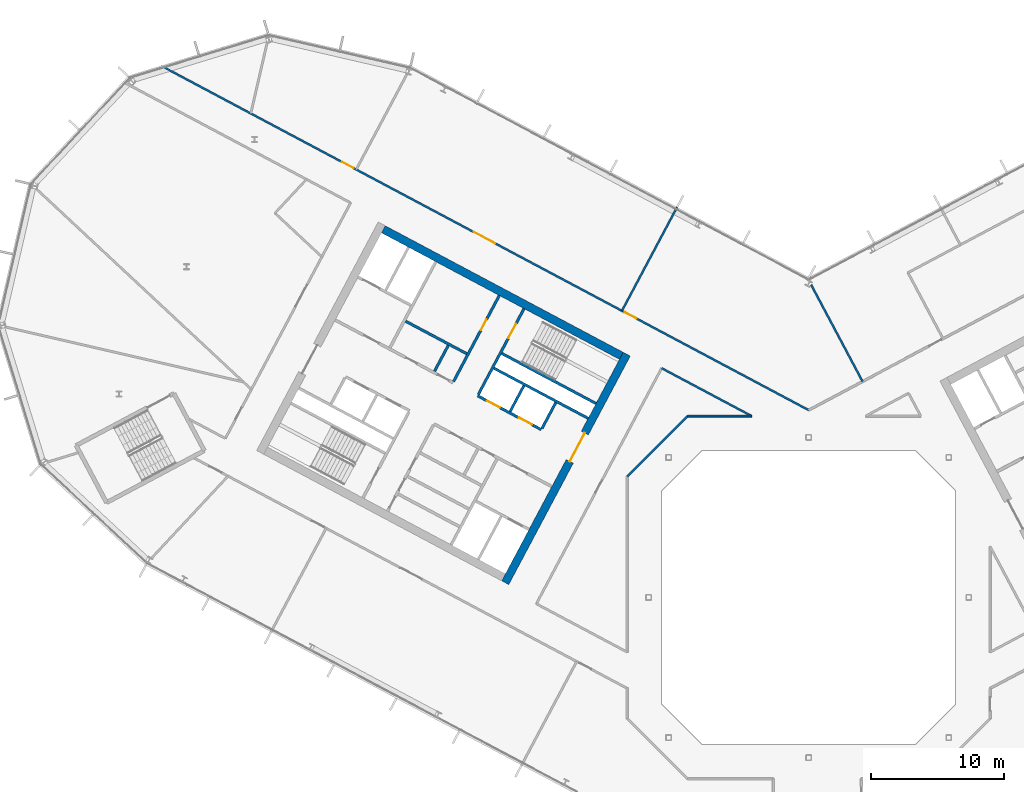
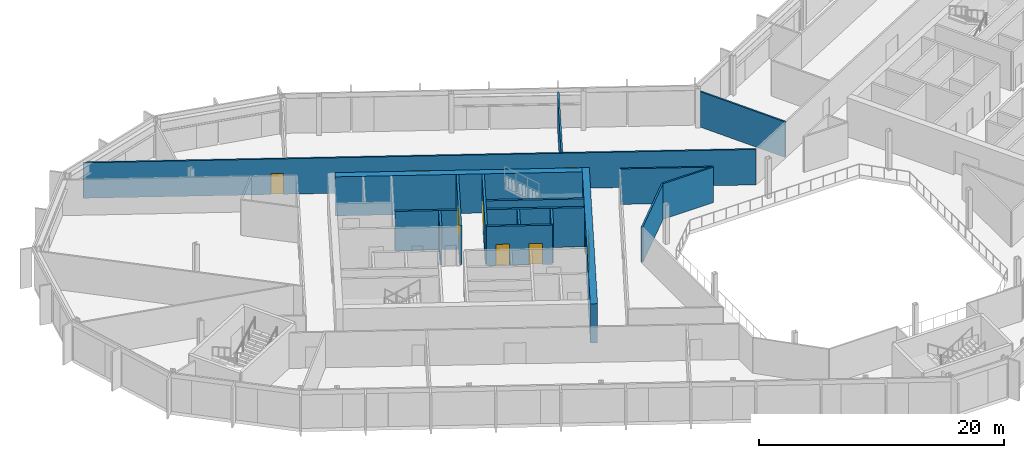
# One storey, part 14 of 26: 17 walls, 8 doors, 8 openings.
"""IFC4 building model written with IfcOpenShell, lengths in metres."""

from ifc_helpers import new_model, si_unit, direction, frame, frame_2d, origin, place, context, subcontext, project, spatial, rectangle, extrude, material, layer, layer_set, type_object, element, fill, save


model = new_model("IFC4")

# Units and contexts
model_context = context("Model", 3, precision=1e-05, world=origin(), true_north=direction((0.0, 1.0)))
body_context = subcontext(model_context, "Body", "Model", "MODEL_VIEW")
ifc_project = project(units=[si_unit("LENGTHUNIT", "METRE"), si_unit("AREAUNIT", "SQUARE_METRE"), si_unit("VOLUMEUNIT", "CUBIC_METRE"), si_unit("PLANEANGLEUNIT", "RADIAN"), si_unit("MASSUNIT", "GRAM", prefix="KILO")], contexts=[model_context])

# Site, building, storey
site_placement = place(None, origin())
site = spatial("IfcSite", under=ifc_project, at=site_placement, CompositionType="ELEMENT")
building_placement = place(site_placement, origin())
building = spatial("IfcBuilding", under=site, at=building_placement, Name="Cormorant Relay Tower", CompositionType="ELEMENT")
storey_placement = place(building_placement, frame((0.0, 0.0, 244.199951171875)))
storey = spatial("IfcBuildingStorey", under=building, at=storey_placement, Name="L54", CompositionType="ELEMENT", Elevation=244.199951171875)

# Walls
ifc_material_1 = material(Name="Concrete 40 MPa", Category="concrete")
ifc_layer_1 = layer(ifc_material_1, 0.199951171875)
ifc_layer_set_1 = layer_set([ifc_layer_1], Name="Core internal wall 200")
wall_type_1 = type_object("IfcWallType", Name="Core internal wall 200", PredefinedType="SOLIDWALL", material=ifc_layer_set_1)
for number, where, z_axis, x_axis, name in (
    (1, (-21.34375, 15.87890625, 0.0), (0.0, 0.0, 1.0), (-0.4694473164, -0.882960484464, 0.0), "L54 core A shaft and room wall"),
    (2, (-27.01220703125, 18.892822265625, 0.0), (0.0, 0.0, 1.0), (-0.4694473164, -0.882960484464, 0.0), "L54 core A shaft and room wall"),
):
    element("IfcWall", number, at=place(storey_placement, frame(where, z_axis=z_axis, x_axis=x_axis)), inside=storey, type_object=wall_type_1, Name=name, PredefinedType="SOLIDWALL", context=body_context, shape_type="SweptSolid", body=[
        extrude(rectangle(XDim=2.199951171875, YDim=0.199951171875, at=frame_2d((1.10009765625, 0.0))), origin(), (0.0, 0.0, 1.0), 3.900146484375),
    ])
ifc_material_2 = material(Name="Concrete 50 MPa", Category="concrete")
ifc_layer_2 = layer(ifc_material_2, 0.199951171875)
ifc_layer_set_2 = layer_set([ifc_layer_2], Name="Core shaft wall 200")
wall_type_2 = type_object("IfcWallType", Name="Core shaft wall 200", PredefinedType="SHEAR", material=ifc_layer_set_2)
wall_1_placement = place(storey_placement, frame((-18.959716796875, 14.611328125, 0.0), z_axis=(0.0, 0.0, 1.0), x_axis=(-0.4694473164, -0.882960484464, 0.0)))
element("IfcWall", 3, at=wall_1_placement, inside=storey, type_object=wall_type_2, Name="L54 core A shaft wall", PredefinedType="SHEAR", context=body_context, shape_type="SweptSolid", body=[
    extrude(rectangle(XDim=2.199951171875, YDim=0.199951171875, at=frame_2d((1.10009765625, 0.0))), origin(), (0.0, 0.0, 1.0), 3.900146484375),
])

# Wall, opening, door
wall_2_placement = place(storey_placement, frame((-21.333251953125, 21.6494140625, 0.0), z_axis=(0.0, 0.0, 1.0), x_axis=(-0.469494272526, -0.882935517501, 0.0)))
wall_2 = element("IfcWall", 4, at=wall_2_placement, inside=storey, type_object=wall_type_2, Name="L54 core A shaft wall", PredefinedType="SHEAR", context=body_context, shape_type="SweptSolid", body=[
    extrude(rectangle(XDim=7.2998046875, YDim=0.199951171875, at=frame_2d((3.64990234375, 0.0))), origin(), (0.0, 0.0, 1.0), 3.900146484375),
])
opening_1_placement = place(wall_2_placement, frame((1.300048828125, 0.0, 0.0)))
opening_1 = element("IfcOpeningElement", 5, at=opening_1_placement, cuts=wall_2, Name="Opening CDB-038", PredefinedType="OPENING", context=body_context, shape_type="SweptSolid", body=[
    extrude(rectangle(XDim=1.199951171875, YDim=2.10009765625, at=frame_2d((0.60009765625, 1.050048828125))), frame((0.0, 0.10986328125, 0.0), z_axis=(0.0, -1.0, 0.0), x_axis=(1.0, 0.0, 0.0)), (0.0, 0.0, 1.0), 0.219970703125),
])
ifc_material_3 = material(Name="Steel fire door", Category="steel")
door_type_1 = type_object("IfcDoorType", Name="Core stair door 1200x2100", OperationType="SINGLE_SWING_LEFT", PredefinedType="DOOR", material=ifc_material_3)
door_1_placement = place(opening_1_placement, origin())
door_1 = element("IfcDoor", 6, at=door_1_placement, inside=storey, type_object=door_type_1, Name="Core stair door 1200x2100", OperationType="SINGLE_SWING_RIGHT", OverallHeight=2.10009765625, OverallWidth=1.199951171875, PredefinedType="DOOR", context=body_context, shape_type="SweptSolid", body=[
    extrude(rectangle(XDim=1.199951171875, YDim=2.10009765625, at=frame_2d((0.60009765625, 1.050048828125))), frame((0.0, 0.02490234375, 0.0), z_axis=(0.0, -1.0, 0.0), x_axis=(1.0, 0.0, 0.0)), (0.0, 0.0, 1.0), 0.050048828125),
])
fill(opening_1, door_1)

wall_3_placement = place(storey_placement, frame((-23.1875, 22.635498046875, 0.0), z_axis=(0.0, 0.0, 1.0), x_axis=(-0.469454336211, -0.882956752176, 0.0)))
wall_3 = element("IfcWall", 7, at=wall_3_placement, inside=storey, type_object=wall_type_2, Name="L54 core A shaft wall", PredefinedType="SHEAR", context=body_context, shape_type="SweptSolid", body=[
    extrude(rectangle(XDim=7.300048828125, YDim=0.199951171875, at=frame_2d((3.64990234375, 0.0))), origin(), (0.0, 0.0, 1.0), 3.900146484375),
])
opening_2_placement = place(wall_3_placement, frame((2.050048828125, 0.0, 0.0)))
opening_2 = element("IfcOpeningElement", 8, at=opening_2_placement, cuts=wall_3, Name="Opening CDD-292", PredefinedType="OPENING", context=body_context, shape_type="SweptSolid", body=[
    extrude(rectangle(XDim=0.89990234375, YDim=2.10009765625, at=frame_2d((0.449951171875, 1.050048828125))), frame((0.0, 0.10986328125, 0.0), z_axis=(0.0, -1.0, 0.0), x_axis=(1.0, 0.0, 0.0)), (0.0, 0.0, 1.0), 0.219970703125),
])
ifc_material_4 = material(Name="Steel fire door", Category="steel")
door_type_2 = type_object("IfcDoorType", Name="Core room door 900x2100", OperationType="SINGLE_SWING_LEFT", PredefinedType="DOOR", material=ifc_material_4)
door_2_placement = place(opening_2_placement, origin())
door_2 = element("IfcDoor", 9, at=door_2_placement, inside=storey, type_object=door_type_2, Name="Core room door 900x2100", OperationType="SINGLE_SWING_LEFT", OverallHeight=2.10009765625, OverallWidth=0.89990234375, PredefinedType="DOOR", context=body_context, shape_type="SweptSolid", body=[
    extrude(rectangle(XDim=0.89990234375, YDim=2.10009765625, at=frame_2d((0.449951171875, 1.050048828125))), frame((0.0, 0.02490234375, 0.0), z_axis=(0.0, -1.0, 0.0), x_axis=(1.0, 0.0, 0.0)), (0.0, 0.0, 1.0), 0.050048828125),
])
fill(opening_2, door_2)

# Walls
wall_4_placement = place(storey_placement, frame((-15.94189453125, 14.53564453125, 0.0), z_axis=(0.0, 0.0, 1.0), x_axis=(-0.882946947542, 0.469472776449, 0.0)))
element("IfcWall", 10, at=wall_4_placement, inside=storey, type_object=wall_type_2, Name="L54 core A shaft wall", PredefinedType="SHEAR", context=body_context, shape_type="SweptSolid", body=[
    extrude(rectangle(XDim=8.000244140625, YDim=0.199951171875, at=frame_2d((4.0, 0.0))), origin(), (0.0, 0.0, 1.0), 3.900146484375),
])
wall_5_placement = place(storey_placement, frame((-16.52880859375, 13.43212890625, 0.0), z_axis=(0.0, 0.0, 1.0), x_axis=(-0.88295287151, 0.469461634952, 0.0)))
element("IfcWall", 11, at=wall_5_placement, inside=storey, type_object=wall_type_2, Name="L54 core A shaft wall", PredefinedType="SHEAR", context=body_context, shape_type="SweptSolid", body=[
    extrude(rectangle(XDim=7.999755859375, YDim=0.199951171875, at=frame_2d((4.0, 0.0))), origin(), (0.0, 0.0, 1.0), 3.900146484375),
])
wall_6_placement = place(storey_placement, frame((-25.623046875, 18.267578125, 0.0), z_axis=(0.0, 0.0, 1.0), x_axis=(-0.882953967957, 0.469459572775, 0.0)))
element("IfcWall", 12, at=wall_6_placement, inside=storey, type_object=wall_type_2, Name="L54 core A shaft wall", PredefinedType="SHEAR", context=body_context, shape_type="SweptSolid", body=[
    extrude(rectangle(XDim=5.199951171875, YDim=0.199951171875, at=frame_2d((2.60009765625, 0.0))), origin(), (0.0, 0.0, 1.0), 3.900146484375),
])

# Wall, openings, doors
wall_7_placement = place(storey_placement, frame((-20.03955078125, 12.58056640625, 0.0), z_axis=(0.0, 0.0, 1.0), x_axis=(-0.882942972946, 0.469480251476, 0.0)))
wall_7 = element("IfcWall", 13, at=wall_7_placement, inside=storey, type_object=wall_type_2, Name="L54 core A shaft wall", PredefinedType="SHEAR", context=body_context, shape_type="SweptSolid", body=[
    extrude(rectangle(XDim=5.39990234375, YDim=0.199951171875, at=frame_2d((2.699951171875, 0.0))), origin(), (0.0, 0.0, 1.0), 3.900146484375),
])
opening_3_placement = place(wall_7_placement, frame((0.800048828125, 0.0, 0.0)))
opening_3 = element("IfcOpeningElement", 14, at=opening_3_placement, cuts=wall_7, Name="Opening LD1-061", PredefinedType="OPENING", context=body_context, shape_type="SweptSolid", body=[
    extrude(rectangle(XDim=1.10009765625, YDim=2.10009765625, at=frame_2d((0.550048828125, 1.050048828125))), frame((0.0, 0.10986328125, 0.0), z_axis=(0.0, -1.0, 0.0), x_axis=(1.0, 0.0, 0.0)), (0.0, 0.0, 1.0), 0.219970703125),
])
opening_4_placement = place(wall_7_placement, frame((3.5, 0.0, 0.0)))
opening_4 = element("IfcOpeningElement", 15, at=opening_4_placement, cuts=wall_7, Name="Opening LD1-062", PredefinedType="OPENING", context=body_context, shape_type="SweptSolid", body=[
    extrude(rectangle(XDim=1.10009765625, YDim=2.10009765625, at=frame_2d((0.550048828125, 1.050048828125))), frame((0.0, 0.10986328125, 0.0), z_axis=(0.0, -1.0, 0.0), x_axis=(1.0, 0.0, 0.0)), (0.0, 0.0, 1.0), 0.219970703125),
])
ifc_material_5 = material(Name="Stainless steel 316", Category="steel")
door_type_3 = type_object("IfcDoorType", Name="Lift landing door 1100x2100", OperationType="DOUBLE_DOOR_SLIDING", PredefinedType="DOOR", material=ifc_material_5)
door_3_placement = place(opening_3_placement, origin())
door_3 = element("IfcDoor", 16, at=door_3_placement, inside=storey, type_object=door_type_3, Name="MR3 landing door", OperationType="DOUBLE_DOOR_SLIDING", OverallHeight=2.10009765625, OverallWidth=1.10009765625, PredefinedType="DOOR", context=body_context, shape_type="SweptSolid", body=[
    extrude(rectangle(XDim=1.10009765625, YDim=2.10009765625, at=frame_2d((0.550048828125, 1.050048828125))), frame((0.0, 0.02490234375, 0.0), z_axis=(0.0, -1.0, 0.0), x_axis=(1.0, 0.0, 0.0)), (0.0, 0.0, 1.0), 0.050048828125),
])
fill(opening_3, door_3)
door_4_placement = place(opening_4_placement, origin())
door_4 = element("IfcDoor", 17, at=door_4_placement, inside=storey, type_object=door_type_3, Name="MR4 landing door", OperationType="DOUBLE_DOOR_SLIDING", OverallHeight=2.10009765625, OverallWidth=1.10009765625, PredefinedType="DOOR", context=body_context, shape_type="SweptSolid", body=[
    extrude(rectangle(XDim=1.10009765625, YDim=2.10009765625, at=frame_2d((0.550048828125, 1.050048828125))), frame((0.0, 0.02490234375, 0.0), z_axis=(0.0, -1.0, 0.0), x_axis=(1.0, 0.0, 0.0)), (0.0, 0.0, 1.0), 0.050048828125),
])
fill(opening_4, door_4)

# Wall, opening, door
ifc_material_6 = material(Name="Concrete 50 MPa", Category="concrete")
ifc_layer_3 = layer(ifc_material_6, 0.60009765625)
ifc_layer_set_3 = layer_set([ifc_layer_3], Name="Core wall 600")
wall_type_3 = type_object("IfcWallType", Name="Core wall 600", PredefinedType="SHEAR", material=ifc_layer_set_3)
wall_8_placement = place(storey_placement, frame((-13.634765625, 18.235595703125, 0.0), z_axis=(0.0, 0.0, 1.0), x_axis=(-0.469478769487, -0.88294376095, 0.0)))
wall_8 = element("IfcWall", 18, at=wall_8_placement, inside=storey, type_object=wall_type_3, Name="L54 core A wall", PredefinedType="SHEAR", context=body_context, shape_type="SweptSolid", body=[
    extrude(rectangle(XDim=19.400146484375, YDim=0.60009765625, at=frame_2d((9.7001953125, 0.0))), origin(), (0.0, 0.0, 1.0), 3.900146484375),
])
opening_5_placement = place(wall_8_placement, frame((6.699951171875, 0.0, 0.0)))
opening_5 = element("IfcOpeningElement", 19, at=opening_5_placement, cuts=wall_8, Name="Opening CDA-040", PredefinedType="OPENING", context=body_context, shape_type="SweptSolid", body=[
    extrude(rectangle(XDim=2.39990234375, YDim=2.39990234375, at=frame_2d((1.199951171875, 1.199951171875))), frame((0.0, 0.31005859375, 0.0), z_axis=(0.0, -1.0, 0.0), x_axis=(1.0, 0.0, 0.0)), (0.0, 0.0, 1.0), 0.6201171875),
])
ifc_material_7 = material(Name="Steel fire door", Category="steel")
door_type_4 = type_object("IfcDoorType", Name="Core lobby door 2400x2400", OperationType="DOUBLE_DOOR_SINGLE_SWING", PredefinedType="DOOR", material=ifc_material_7)
door_5_placement = place(opening_5_placement, frame((2.39990234375, 0.0, 0.0), z_axis=(0.0, 0.0, 1.0), x_axis=(-1.0, 0.0, 0.0)))
door_5 = element("IfcDoor", 20, at=door_5_placement, inside=storey, type_object=door_type_4, Name="Core lobby door 2400x2400", OperationType="DOUBLE_DOOR_SINGLE_SWING", OverallHeight=2.39990234375, OverallWidth=2.39990234375, PredefinedType="DOOR", context=body_context, shape_type="SweptSolid", body=[
    extrude(rectangle(XDim=2.39990234375, YDim=2.39990234375, at=frame_2d((1.199951171875, 1.199951171875))), frame((0.0, 0.02490234375, 0.0), z_axis=(0.0, -1.0, 0.0), x_axis=(1.0, 0.0, 0.0)), (0.0, 0.0, 1.0), 0.050048828125),
])
fill(opening_5, door_5)

# Wall
wall_9_placement = place(storey_placement, frame((-14.04052734375, 18.111572265625, 0.0), z_axis=(0.0, 0.0, 1.0), x_axis=(-0.882947755831, 0.46947125628, 0.0)))
element("IfcWall", 21, at=wall_9_placement, inside=storey, type_object=wall_type_3, Name="L54 core A wall", PredefinedType="SHEAR", context=body_context, shape_type="SweptSolid", body=[
    extrude(rectangle(XDim=20.2001953125, YDim=0.60009765625, at=frame_2d((10.10009765625, 0.0))), origin(), (0.0, 0.0, 1.0), 3.900146484375),
])

# Wall, openings, doors
ifc_material_8 = material(Name="Gypsum board fire partition")
ifc_layer_4 = layer(ifc_material_8, 0.14990234375)
ifc_layer_set_4 = layer_set([ifc_layer_4], Name="Corridor partition 150 EI 60")
wall_type_4 = type_object("IfcWallType", Name="Corridor partition 150 EI 60", PredefinedType="PARTITIONING", material=ifc_layer_set_4)
wall_10_placement = place(storey_placement, frame((-48.541015625, 39.85400390625, 0.0), z_axis=(0.0, 0.0, 1.0), x_axis=(0.882945008423, -0.469476423372, 0.0)))
wall_10 = element("IfcWall", 22, at=wall_10_placement, inside=storey, type_object=wall_type_4, Name="wall/L54/part/010", PredefinedType="PARTITIONING", context=body_context, shape_type="SweptSolid", body=[
    extrude(rectangle(XDim=54.976318359375, YDim=0.14990234375, at=frame_2d((27.48828125, 0.0))), origin(), (0.0, 0.0, 1.0), 3.5400390625),
])
opening_6_placement = place(wall_10_placement, frame((39.35009765625, 0.0, 0.0)))
opening_6 = element("IfcOpeningElement", 23, at=opening_6_placement, cuts=wall_10, Name="Opening DS-134", PredefinedType="OPENING", context=body_context, shape_type="SweptSolid", body=[
    extrude(rectangle(XDim=1.0, YDim=2.10009765625, at=frame_2d((0.5, 1.050048828125))), frame((0.0, 0.0849609375, 0.0), z_axis=(0.0, -1.0, 0.0), x_axis=(1.0, 0.0, 0.0)), (0.0, 0.0, 1.0), 0.169921875),
])
opening_7_placement = place(wall_10_placement, frame((26.550048828125, 0.0, 0.0)))
opening_7 = element("IfcOpeningElement", 24, at=opening_7_placement, cuts=wall_10, Name="Opening DD-024", PredefinedType="OPENING", context=body_context, shape_type="SweptSolid", body=[
    extrude(rectangle(XDim=1.800048828125, YDim=2.10009765625, at=frame_2d((0.89990234375, 1.050048828125))), frame((0.0, 0.0849609375, 0.0), z_axis=(0.0, -1.0, 0.0), x_axis=(1.0, 0.0, 0.0)), (0.0, 0.0, 1.0), 0.169921875),
])
opening_8_placement = place(wall_10_placement, frame((15.35009765625, 0.0, 0.0)))
opening_8 = element("IfcOpeningElement", 25, at=opening_8_placement, cuts=wall_10, Name="Opening DS-120", PredefinedType="OPENING", context=body_context, shape_type="SweptSolid", body=[
    extrude(rectangle(XDim=1.0, YDim=2.10009765625, at=frame_2d((0.5, 1.050048828125))), frame((0.0, 0.0849609375, 0.0), z_axis=(0.0, -1.0, 0.0), x_axis=(1.0, 0.0, 0.0)), (0.0, 0.0, 1.0), 0.169921875),
])
ifc_material_9 = material(Name="Timber door leaf", Category="wood")
door_type_5 = type_object("IfcDoorType", Name="Suite door 1000x2100", OperationType="SINGLE_SWING_LEFT", PredefinedType="DOOR", material=ifc_material_9)
door_6_placement = place(opening_6_placement, origin())
door_6 = element("IfcDoor", 26, at=door_6_placement, inside=storey, type_object=door_type_5, Name="door/L54/015", OperationType="SINGLE_SWING_LEFT", OverallHeight=2.10009765625, OverallWidth=1.0, PredefinedType="DOOR", context=body_context, shape_type="SweptSolid", body=[
    extrude(rectangle(XDim=1.0, YDim=2.10009765625, at=frame_2d((0.5, 1.050048828125))), frame((0.0, 0.02490234375, 0.0), z_axis=(0.0, -1.0, 0.0), x_axis=(1.0, 0.0, 0.0)), (0.0, 0.0, 1.0), 0.050048828125),
])
fill(opening_6, door_6)
door_7_placement = place(opening_8_placement, origin())
door_7 = element("IfcDoor", 27, at=door_7_placement, inside=storey, type_object=door_type_5, Name="door/L54/017", OperationType="SINGLE_SWING_RIGHT", OverallHeight=2.10009765625, OverallWidth=1.0, PredefinedType="DOOR", context=body_context, shape_type="SweptSolid", body=[
    extrude(rectangle(XDim=1.0, YDim=2.10009765625, at=frame_2d((0.5, 1.050048828125))), frame((0.0, 0.02490234375, 0.0), z_axis=(0.0, -1.0, 0.0), x_axis=(1.0, 0.0, 0.0)), (0.0, 0.0, 1.0), 0.050048828125),
])
fill(opening_8, door_7)
ifc_material_10 = material(Name="Timber door leaf", Category="wood")
door_type_6 = type_object("IfcDoorType", Name="Suite double door 1800x2100", OperationType="DOUBLE_DOOR_SINGLE_SWING", PredefinedType="DOOR", material=ifc_material_10)
door_8_placement = place(opening_7_placement, origin())
door_8 = element("IfcDoor", 28, at=door_8_placement, inside=storey, type_object=door_type_6, Name="door/L54/016", OperationType="DOUBLE_DOOR_SINGLE_SWING", OverallHeight=2.10009765625, OverallWidth=1.800048828125, PredefinedType="DOOR", context=body_context, shape_type="SweptSolid", body=[
    extrude(rectangle(XDim=1.800048828125, YDim=2.10009765625, at=frame_2d((0.89990234375, 1.050048828125))), frame((0.0, 0.02490234375, 0.0), z_axis=(0.0, -1.0, 0.0), x_axis=(1.0, 0.0, 0.0)), (0.0, 0.0, 1.0), 0.050048828125),
])
fill(opening_7, door_8)

# Walls
wall_11_placement = place(storey_placement, frame((-11.02197265625, 17.18603515625, 0.0), z_axis=(0.0, 0.0, 1.0), x_axis=(0.882967947403, -0.469433279453, 0.0)))
element("IfcWall", 29, at=wall_11_placement, inside=storey, type_object=wall_type_4, Name="wall/L54/part/046", PredefinedType="PARTITIONING", context=body_context, shape_type="SweptSolid", body=[
    extrude(rectangle(XDim=7.638916015625, YDim=0.14990234375, at=frame_2d((3.8193359375, 0.0))), origin(), (0.0, 0.0, 1.0), 3.5400390625),
])
wall_12_placement = place(storey_placement, frame((-4.277099609375, 13.60009765625, 0.0), z_axis=(0.0, 0.0, 1.0), x_axis=(-1.0, 0.0, 0.0)))
element("IfcWall", 30, at=wall_12_placement, inside=storey, type_object=wall_type_4, Name="wall/L54/part/047", PredefinedType="PARTITIONING", context=body_context, shape_type="SweptSolid", body=[
    extrude(rectangle(XDim=4.7998046875, YDim=0.14990234375, at=frame_2d((2.39990234375, 0.0))), origin(), (0.0, 0.0, 1.0), 3.5400390625),
])
wall_13_placement = place(storey_placement, frame((-9.076904296875, 13.60009765625, 0.0), z_axis=(0.0, 0.0, 1.0), x_axis=(-0.707106781187, -0.707106781187, 0.0)))
element("IfcWall", 31, at=wall_13_placement, inside=storey, type_object=wall_type_4, Name="wall/L54/part/048", PredefinedType="PARTITIONING", context=body_context, shape_type="SweptSolid", body=[
    extrude(rectangle(XDim=6.396728515625, YDim=0.14990234375, at=frame_2d((3.1982421875, 0.0))), origin(), (0.0, 0.0, 1.0), 3.5400390625),
])
ifc_material_11 = material(Name="Gypsum board partition")
ifc_layer_5 = layer(ifc_material_11, 0.14990234375)
ifc_layer_set_5 = layer_set([ifc_layer_5], Name="Tenant partition 150")
wall_type_5 = type_object("IfcWallType", Name="Tenant partition 150", PredefinedType="PARTITIONING", material=ifc_layer_set_5)
wall_14_placement = place(storey_placement, frame((-9.864013671875, 29.2548828125, 0.0), z_axis=(0.0, 0.0, 1.0), x_axis=(-0.469457446168, -0.882955098653, 0.0)))
element("IfcWall", 32, at=wall_14_placement, inside=storey, type_object=wall_type_5, Name="wall/L54/part/018", PredefinedType="PARTITIONING", context=body_context, shape_type="SweptSolid", body=[
    extrude(rectangle(XDim=8.7998046875, YDim=0.14990234375, at=frame_2d((4.39990234375, 0.0))), origin(), (0.0, 0.0, 1.0), 3.5400390625),
])
wall_15_placement = place(storey_placement, frame((0.18310546875, 23.43994140625, 0.0), z_axis=(0.0, 0.0, 1.0), x_axis=(0.469529135479, -0.882916978507, 0.0)))
element("IfcWall", 33, at=wall_15_placement, inside=storey, type_object=wall_type_5, Name="wall/L54/part/022", PredefinedType="PARTITIONING", context=body_context, shape_type="SweptSolid", body=[
    extrude(rectangle(XDim=8.210205078125, YDim=0.14990234375, at=frame_2d((4.10498046875, 0.0))), origin(), (0.0, 0.0, 1.0), 3.5400390625),
])

save(model, "model.ifc")
